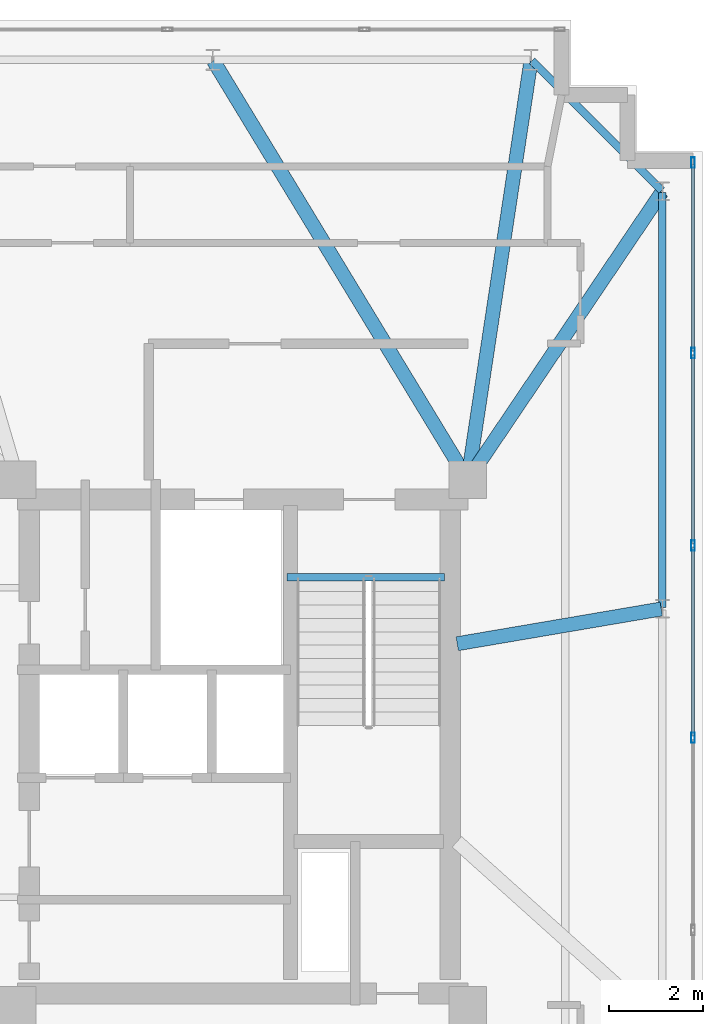
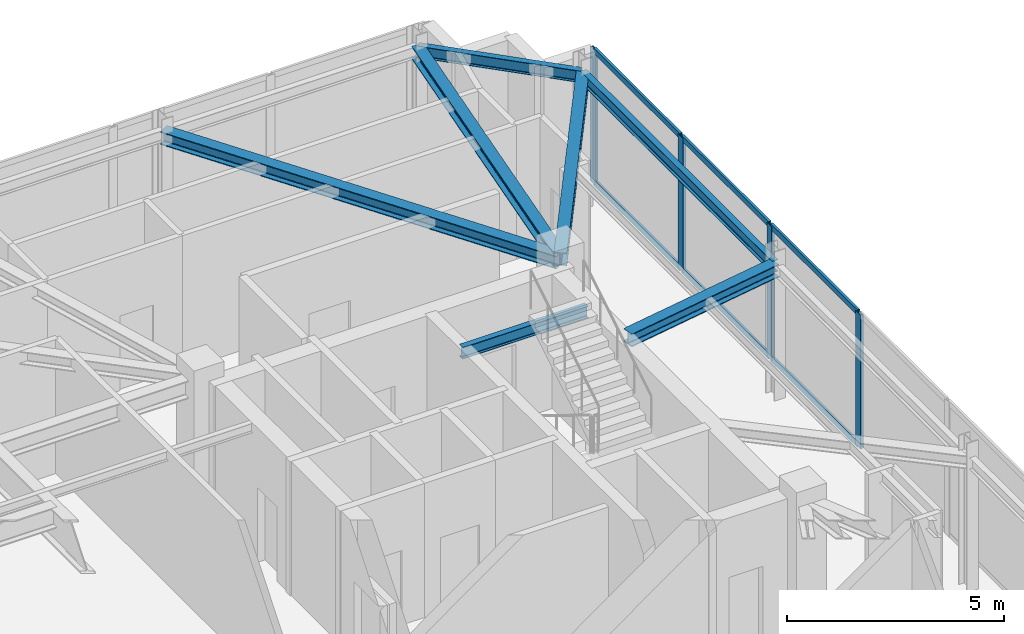
# One storey, part 14 of 24: 10 members, 7 beams, 1 element without a shape of its own.
"""IFC4 building model written with IfcOpenShell, lengths in metres."""

import ifcopenshell
import ifcopenshell.guid

model = None  # the IFC model being written
_history = None  # IfcOwnerHistory: only IFC2X3 demands one
_inside = {}  # id of a spatial element -> (the spatial element, [elements in it])
_under = {}  # id of a project, library or spatial element -> (it, [spatial elements below it])
_declared = {}  # id of a project -> (the project, [libraries it declares])
_typed = {}  # id of a type object -> (the type object, [elements of that type])
_made_of = {}  # id of a material, layer set ... -> (it, [elements and type objects made of it])


def new_model(schema):
    """Start an empty IFC model of exactly this schema.

    Asked for "IFC4X3", IfcOpenShell would pick the latest addendum, in which some entities
    have other attributes; the version numbers below select the first issue.
    IFC2X3 requires an IfcOwnerHistory on every rooted entity: one is made here for all.
    """
    global model, _history
    if schema == "IFC4X3":
        model = ifcopenshell.file(schema_version=(4, 3, 0, 0))
    else:
        model = ifcopenshell.file(schema=schema)
    _inside.clear()
    _under.clear()
    _declared.clear()
    _typed.clear()
    _made_of.clear()
    _history = None
    if model.schema == "IFC2X3":
        org = make("IfcOrganization", Name="unknown")
        user = make(
            "IfcPersonAndOrganization",
            ThePerson=make("IfcPerson", FamilyName="unknown"),
            TheOrganization=org,
        )
        app = make(
            "IfcApplication",
            ApplicationDeveloper=org,
            Version="unknown",
            ApplicationFullName="unknown",
            ApplicationIdentifier="unknown",
        )
        _history = make(
            "IfcOwnerHistory",
            OwningUser=user,
            OwningApplication=app,
            ChangeAction="ADDED",
            CreationDate=0,
        )
    return model


def make(cls, **values):
    """One entity of the class cls with the attributes given. An attribute that is None is left unset."""
    return model.create_entity(
        cls, **{name: value for name, value in values.items() if value is not None}
    )


def rooted(cls, **values):
    """An entity with a GlobalId (a new one), such as an element, a storey or a relation."""
    return make(cls, GlobalId=ifcopenshell.guid.new(), OwnerHistory=_history, **values)


def si_unit(unit_type, name, prefix=None):
    """IfcSIUnit, for example si_unit("LENGTHUNIT", "METRE", prefix="MILLI")."""
    return make("IfcSIUnit", UnitType=unit_type, Prefix=prefix, Name=name)


def assignment(units):
    """IfcUnitAssignment: the units of a project."""
    return None if units is None else make("IfcUnitAssignment", Units=units)


def point(xyz):
    """IfcCartesianPoint."""
    return None if xyz is None else make("IfcCartesianPoint", Coordinates=xyz)


def direction(xyz):
    """IfcDirection."""
    return None if xyz is None else make("IfcDirection", DirectionRatios=xyz)


def frame(location, z_axis=None, x_axis=None):
    """IfcAxis2Placement3D, a coordinate frame: its origin and axes. An axis left out is left unset."""
    return make(
        "IfcAxis2Placement3D",
        Location=point(location),
        Axis=direction(z_axis),
        RefDirection=direction(x_axis),
    )


def frame_2d(location, x_axis=None):
    """IfcAxis2Placement2D, a coordinate frame in the plane: its origin and x axis."""
    return make(
        "IfcAxis2Placement2D", Location=point(location), RefDirection=direction(x_axis)
    )


def origin():
    """The frame at (0, 0, 0) with its axes left unset."""
    return frame((0.0, 0.0, 0.0))


def origin_2d():
    """The frame at (0, 0) in the plane with its x axis left unset."""
    return frame_2d((0.0, 0.0))


def place(relative_to, where):
    """IfcLocalPlacement: puts the frame where relative to a parent placement (None: the world)."""
    return make(
        "IfcLocalPlacement", PlacementRelTo=relative_to, RelativePlacement=where
    )


def context(
    kind, dimensions, precision=None, world=None, true_north=None, identifier=None
):
    """IfcGeometricRepresentationContext, for example the 3D "Model" context."""
    return make(
        "IfcGeometricRepresentationContext",
        ContextIdentifier=identifier,
        ContextType=kind,
        CoordinateSpaceDimension=dimensions,
        Precision=precision,
        WorldCoordinateSystem=world,
        TrueNorth=true_north,
    )


def subcontext(parent, identifier, kind, view, scale=None):
    """IfcGeometricRepresentationSubContext, for example "Body" below "Model"."""
    return make(
        "IfcGeometricRepresentationSubContext",
        ContextIdentifier=identifier,
        ContextType=kind,
        ParentContext=parent,
        TargetScale=scale,
        TargetView=view,
    )


def project(units=None, contexts=None):
    """IfcProject with its units and contexts."""
    return rooted(
        "IfcProject",
        Name="project",
        RepresentationContexts=contexts,
        UnitsInContext=assignment(units),
    )


def spatial(cls, under=None, at=None, **own):
    """A site, building, storey or space (cls), placed at a placement, below another one or the project."""
    s = rooted(cls, ObjectPlacement=at, **own)
    if under is not None:
        _under.setdefault(under.id(), (under, []))[1].append(s)
    return s


def profile(cls, at=None, kind="AREA", **sizes):
    """A parametric profile (cls). Its sizes go by their IFC names, for example OverallWidth=200.0."""
    return make(cls, ProfileType=kind, Position=at, **sizes)


def hollow_rectangle(**sizes):
    """IfcRectangleHollowProfileDef."""
    return profile("IfcRectangleHollowProfileDef", **sizes)


def i_section(**sizes):
    """IfcIShapeProfileDef."""
    return profile("IfcIShapeProfileDef", **sizes)


def extrude(swept, where, along, depth):
    """IfcExtrudedAreaSolid: the profile swept, set in the frame where, extruded along a direction by depth."""
    return make(
        "IfcExtrudedAreaSolid",
        SweptArea=swept,
        Position=where,
        ExtrudedDirection=direction(along),
        Depth=depth,
    )


def shape(context_of_items, identifier, shape_type, items):
    """IfcShapeRepresentation: the items that make up one representation, for example the "Body"."""
    return make(
        "IfcShapeRepresentation",
        ContextOfItems=context_of_items,
        RepresentationIdentifier=identifier,
        RepresentationType=shape_type,
        Items=items,
    )


def material(Name=None, Category=None):
    """IfcMaterial."""
    return make("IfcMaterial", Name=Name, Category=Category)


def layer(
    of_material, thickness, ventilated=None, Name=None, Category=None, Priority=None
):
    """IfcMaterialLayer: one layer of a wall or slab, of a material (None: an air gap)."""
    return make(
        "IfcMaterialLayer",
        Material=of_material,
        LayerThickness=thickness,
        IsVentilated=ventilated,
        Name=Name,
        Category=Category,
        Priority=Priority,
    )


def layer_set(layers, Name=None):
    """IfcMaterialLayerSet."""
    return make("IfcMaterialLayerSet", MaterialLayers=layers, LayerSetName=Name)


def material_profile(
    of_material, cross_section, Name=None, Category=None, Priority=None
):
    """IfcMaterialProfile: a cross section and its material."""
    return make(
        "IfcMaterialProfile",
        Name=Name,
        Material=of_material,
        Profile=cross_section,
        Priority=Priority,
        Category=Category,
    )


def profile_set(profiles, Name=None, composite=None):
    """IfcMaterialProfileSet."""
    return make(
        "IfcMaterialProfileSet",
        Name=Name,
        MaterialProfiles=profiles,
        CompositeProfile=composite,
    )


def made_of(thing, what):
    """Note that an element or type object is made of a material, layer set ...; save() writes the relation."""
    if what is not None:
        _made_of.setdefault(what.id(), (what, []))[1].append(thing)
    return thing


def type_object(cls, material=None, **own):
    """A type object (cls), such as IfcWallType, which elements share."""
    return made_of(rooted(cls, **own), material)


def element(
    cls,
    number,
    at=None,
    inside=None,
    cuts=None,
    type_object=None,
    material=None,
    context=None,
    identifier="Body",
    shape_type=None,
    held_by="IfcProductDefinitionShape",
    body=None,
    shapes=None,
    **own,
):
    """One element of the class cls, such as IfcWall. Its Tag is "e" and its number.

    at: its placement. inside: the storey or other place that contains it. cuts: it is an
    opening in that element (IfcRelVoidsElement). A single representation is given by context,
    identifier, shape_type and body (its items); several are given by shapes. held_by: the class
    of the entity that holds the representations. save() writes the other relations.
    """
    e = rooted(cls, Tag="e%d" % number, ObjectPlacement=at, **own)
    if body is not None:
        shapes = [shape(context, identifier, shape_type, body)]
    if shapes is not None:
        e.Representation = make(held_by, Representations=shapes)
    if inside is not None:
        _inside.setdefault(inside.id(), (inside, []))[1].append(e)
    if cuts is not None:
        rooted(
            "IfcRelVoidsElement", RelatingBuildingElement=cuts, RelatedOpeningElement=e
        )
    if type_object is not None:
        _typed.setdefault(type_object.id(), (type_object, []))[1].append(e)
    return made_of(e, material)


def aggregate(whole, parts):
    """IfcRelAggregates: a whole, such as a stair, and the parts it consists of."""
    return rooted("IfcRelAggregates", RelatingObject=whole, RelatedObjects=parts)


def save(model, path):
    """Write the relations noted so far, then the file.

    IfcRelAggregates (storeys below a building ...), IfcRelContainedInSpatialStructure (elements
    in a storey), IfcRelDefinesByType, IfcRelAssociatesMaterial and IfcRelDeclares: one each for
    every whole, place, type object, material and project.
    """
    for whole, parts in _under.values():
        aggregate(whole, parts)
    for where, things in _inside.values():
        rooted(
            "IfcRelContainedInSpatialStructure",
            RelatedElements=things,
            RelatingStructure=where,
        )
    for kind, things in _typed.values():
        rooted("IfcRelDefinesByType", RelatedObjects=things, RelatingType=kind)
    for what, things in _made_of.values():
        rooted("IfcRelAssociatesMaterial", RelatedObjects=things, RelatingMaterial=what)
    for by, libraries in _declared.values():
        rooted("IfcRelDeclares", RelatingContext=by, RelatedDefinitions=libraries)
    model.write(path)


model = new_model("IFC4")

# Units and contexts
model_context = context("Model", 3, precision=1e-05, world=origin(), true_north=direction((0.0, 1.0)))
body_context = subcontext(model_context, "Body", "Model", "MODEL_VIEW")
ifc_project = project(units=[si_unit("LENGTHUNIT", "METRE"), si_unit("AREAUNIT", "SQUARE_METRE"), si_unit("VOLUMEUNIT", "CUBIC_METRE"), si_unit("PLANEANGLEUNIT", "RADIAN"), si_unit("MASSUNIT", "GRAM", prefix="KILO")], contexts=[model_context])

# Site, building, storey
site_placement = place(None, origin())
site = spatial("IfcSite", under=ifc_project, at=site_placement, CompositionType="ELEMENT")
building_placement = place(site_placement, origin())
building = spatial("IfcBuilding", under=site, at=building_placement, Name="Qobustan Lattice House", CompositionType="ELEMENT")
storey_placement = place(building_placement, frame((0.0, 0.0, 261.800048828125)))
storey = spatial("IfcBuildingStorey", under=building, at=storey_placement, Name="L74", CompositionType="ELEMENT", Elevation=261.800048828125)

# Beams
ifc_material_1 = material(Name="Steel S355", Category="steel")
ifc_material_profile_1 = material_profile(ifc_material_1, i_section(OverallWidth=0.300048828125, OverallDepth=0.360107421875, WebThickness=0.012451171875, FlangeThickness=0.0224609375, FilletRadius=0.027099609375, at=origin_2d()), Name="HEB360")
ifc_profile_set_1 = profile_set([ifc_material_profile_1], Name="Steel S355")
beam_type_1 = type_object("IfcBeamType", Name="BM-FLG-HEB360", PredefinedType="USERDEFINED", material=ifc_profile_set_1)
beam_1_placement = place(storey_placement, frame((13.379638671875, 14.528564453125, 3.599853515625), z_axis=(0.518943895492, -0.854808302096, 0.0), x_axis=(0.854808302096, 0.518943895492, 0.0)))
element("IfcBeam", 1, at=beam_1_placement, inside=storey, type_object=beam_type_1, Name="L74 primary floor girder RAD-N2", ObjectType="GIRDER", PredefinedType="USERDEFINED", context=body_context, shape_type="SweptSolid", body=[
    extrude(i_section(OverallWidth=0.300048828125, OverallDepth=0.360107421875, WebThickness=0.012451171875, FlangeThickness=0.0224609375, FilletRadius=0.027099609375, at=origin_2d()), origin(), (0.0, 0.0, 1.0), 10.420166015625),
])
beam_2_placement = place(storey_placement, frame((20.146240234375, 14.525390625, 3.599853515625), z_axis=(-0.149148118249, -0.988814865798, 0.0), x_axis=(0.988814865798, -0.149148118249, 0.0)))
element("IfcBeam", 2, at=beam_2_placement, inside=storey, type_object=beam_type_1, Name="L74 primary floor girder RAD-N1E", ObjectType="GIRDER", PredefinedType="USERDEFINED", context=body_context, shape_type="SweptSolid", body=[
    extrude(i_section(OverallWidth=0.300048828125, OverallDepth=0.360107421875, WebThickness=0.012451171875, FlangeThickness=0.0224609375, FilletRadius=0.027099609375, at=origin_2d()), origin(), (0.0, 0.0, 1.0), 9.001220703125),
])
beam_3_placement = place(storey_placement, frame((22.93603515625, 11.729248046875, 3.599853515625), z_axis=(-0.559355068937, -0.828928167488, 0.0), x_axis=(0.828928167488, -0.559355068937, 0.0)))
element("IfcBeam", 3, at=beam_3_placement, inside=storey, type_object=beam_type_1, Name="L74 primary floor girder RAD-E4", ObjectType="GIRDER", PredefinedType="USERDEFINED", context=body_context, shape_type="SweptSolid", body=[
    extrude(i_section(OverallWidth=0.300048828125, OverallDepth=0.360107421875, WebThickness=0.012451171875, FlangeThickness=0.0224609375, FilletRadius=0.027099609375, at=origin_2d()), origin(), (0.0, 0.0, 1.0), 7.369384765625),
])
beam_4_placement = place(storey_placement, frame((22.92529296875, 2.845703125, 3.599853515625), z_axis=(-0.985786297247, -0.168004095664, 0.0), x_axis=(0.168004095664, -0.985786297247, 0.0)))
element("IfcBeam", 4, at=beam_4_placement, inside=storey, type_object=beam_type_1, Name="L74 primary floor girder RAD-E3", ObjectType="GIRDER", PredefinedType="USERDEFINED", context=body_context, shape_type="SweptSolid", body=[
    extrude(i_section(OverallWidth=0.300048828125, OverallDepth=0.360107421875, WebThickness=0.012451171875, FlangeThickness=0.0224609375, FilletRadius=0.027099609375, at=origin_2d()), origin(), (0.0, 0.0, 1.0), 4.413330078125),
])
ifc_material_2 = material(Name="Steel S355", Category="steel")
ifc_material_profile_2 = material_profile(ifc_material_2, i_section(OverallWidth=0.159912109375, OverallDepth=0.330078125, WebThickness=0.007568359375, FlangeThickness=0.011474609375, FilletRadius=0.01806640625, at=origin_2d()), Name="IPE330")
ifc_profile_set_2 = profile_set([ifc_material_profile_2], Name="Steel S355")
beam_type_2 = type_object("IfcBeamType", Name="BM-SPD-IPE330", PredefinedType="SPANDREL", material=ifc_profile_set_2)
beam_5_placement = place(storey_placement, frame((14.949951171875, 3.52001953125, 3.614990234375), z_axis=(1.0, 0.0, 0.0), x_axis=(0.0, 1.0, 0.0)))
element("IfcBeam", 5, at=beam_5_placement, inside=storey, type_object=beam_type_2, Name="L74 east stair landing trimmer beam", PredefinedType="SPANDREL", context=body_context, shape_type="SweptSolid", body=[
    extrude(i_section(OverallWidth=0.159912109375, OverallDepth=0.330078125, WebThickness=0.007568359375, FlangeThickness=0.011474609375, FilletRadius=0.01806640625, at=origin_2d()), origin(), (0.0, 0.0, 1.0), 3.35009765625),
])
beam_6_placement = place(storey_placement, frame((22.949951171875, 2.875, 3.614990234375), z_axis=(0.0, 1.0, 0.0), x_axis=(-1.0, 0.0, 0.0)))
element("IfcBeam", 6, at=beam_6_placement, inside=storey, type_object=beam_type_2, Name="L74 perimeter spandrel E3-E4", PredefinedType="SPANDREL", context=body_context, shape_type="SweptSolid", body=[
    extrude(i_section(OverallWidth=0.159912109375, OverallDepth=0.330078125, WebThickness=0.007568359375, FlangeThickness=0.011474609375, FilletRadius=0.01806640625, at=origin_2d()), origin(), (0.0, 0.0, 1.0), 8.85009765625),
])
beam_7_placement = place(storey_placement, frame((22.932373046875, 11.767578125, 3.614990234375), z_axis=(-0.707106781187, 0.707106781187, 0.0), x_axis=(-0.707106781187, -0.707106781187, 0.0)))
element("IfcBeam", 7, at=beam_7_placement, inside=storey, type_object=beam_type_2, Name="L74 perimeter spandrel E4-N1", PredefinedType="SPANDREL", context=body_context, shape_type="SweptSolid", body=[
    extrude(i_section(OverallWidth=0.159912109375, OverallDepth=0.330078125, WebThickness=0.007568359375, FlangeThickness=0.011474609375, FilletRadius=0.01806640625, at=origin_2d()), origin(), (0.0, 0.0, 1.0), 3.909912109375),
])

# Curtain wall, members
ifc_material_3 = material(Name="Anodised aluminium and low-E glazing", Category="aluminium")
ifc_layer = layer(ifc_material_3, 0.219970703125)
ifc_layer_set = layer_set([ifc_layer], Name="Anodised aluminium and low-E glazing")
curtain_wall_type = type_object("IfcCurtainWallType", Name="CW-OBS-01", PredefinedType="USERDEFINED", material=ifc_layer_set)
curtain_wall_placement = place(storey_placement, origin())
curtain_wall = element("IfcCurtainWall", 8, at=curtain_wall_placement, inside=storey, type_object=curtain_wall_type, Name="L74 E panoramic observation curtain wall", ObjectType="CURTAIN WALL", PredefinedType="USERDEFINED")
ifc_material_4 = material(Name="Anodised aluminium EN AW-6063 T6", Category="aluminium")
ifc_material_profile_3 = material_profile(ifc_material_4, hollow_rectangle(XDim=0.080078125, YDim=0.219970703125, WallThickness=0.0048828125, at=origin_2d()), Name="CWM-220x80")
ifc_profile_set_3 = profile_set([ifc_material_profile_3], Name="Anodised aluminium EN AW-6063 T6")
member_type_1 = type_object("IfcMemberType", Name="CWM-MAIN-220", PredefinedType="MULLION", material=ifc_profile_set_3)
member_1_placement = place(storey_placement, frame((23.60009765625, 12.360107421875, 0.0), z_axis=(0.0, 0.0, 1.0), x_axis=(1.0, 0.0, 0.0)))
member_1 = element("IfcMember", 9, at=member_1_placement, type_object=member_type_1, Name="CW-OB mullion 1", PredefinedType="MULLION", context=body_context, shape_type="SweptSolid", body=[
    extrude(hollow_rectangle(XDim=0.080078125, YDim=0.219970703125, WallThickness=0.0048828125, at=origin_2d()), origin(), (0.0, 0.0, 1.0), 3.780029296875),
])
member_2_placement = place(storey_placement, frame((23.60009765625, 8.300048828125, 0.0), z_axis=(0.0, 0.0, 1.0), x_axis=(1.0, 0.0, 0.0)))
member_2 = element("IfcMember", 10, at=member_2_placement, type_object=member_type_1, Name="CW-OB mullion 2", PredefinedType="MULLION", context=body_context, shape_type="SweptSolid", body=[
    extrude(hollow_rectangle(XDim=0.080078125, YDim=0.219970703125, WallThickness=0.0048828125, at=origin_2d()), origin(), (0.0, 0.0, 1.0), 3.780029296875),
])
member_3_placement = place(storey_placement, frame((23.60009765625, 4.199951171875, 0.0), z_axis=(0.0, 0.0, 1.0), x_axis=(1.0, 0.0, 0.0)))
member_3 = element("IfcMember", 11, at=member_3_placement, type_object=member_type_1, Name="CW-OB mullion 3", PredefinedType="MULLION", context=body_context, shape_type="SweptSolid", body=[
    extrude(hollow_rectangle(XDim=0.080078125, YDim=0.219970703125, WallThickness=0.0048828125, at=origin_2d()), origin(), (0.0, 0.0, 1.0), 3.780029296875),
])
member_4_placement = place(storey_placement, frame((23.60009765625, 0.10009765625, 0.0), z_axis=(0.0, 0.0, 1.0), x_axis=(1.0, 0.0, 0.0)))
member_4 = element("IfcMember", 12, at=member_4_placement, type_object=member_type_1, Name="CW-OB mullion 4", PredefinedType="MULLION", context=body_context, shape_type="SweptSolid", body=[
    extrude(hollow_rectangle(XDim=0.080078125, YDim=0.219970703125, WallThickness=0.0048828125, at=origin_2d()), origin(), (0.0, 0.0, 1.0), 3.780029296875),
])
ifc_material_5 = material(Name="Anodised aluminium EN AW-6063 T6", Category="aluminium")
ifc_material_profile_4 = material_profile(ifc_material_5, hollow_rectangle(XDim=0.06494140625, YDim=0.159912109375, WallThickness=0.00390625, at=origin_2d()), Name="CWT-160x65")
ifc_profile_set_4 = profile_set([ifc_material_profile_4], Name="Anodised aluminium EN AW-6063 T6")
member_type_2 = type_object("IfcMemberType", Name="CWT-HOR-160", PredefinedType="USERDEFINED", material=ifc_profile_set_4)
member_5_placement = place(storey_placement, frame((23.60009765625, 12.320068359375, 0.032470703125), z_axis=(0.0, -1.0, 0.0), x_axis=(1.0, 0.0, 0.0)))
member_5 = element("IfcMember", 13, at=member_5_placement, type_object=member_type_2, Name="CW-OB transom 1.1", ObjectType="TRANSOM", PredefinedType="USERDEFINED", context=body_context, shape_type="SweptSolid", body=[
    extrude(hollow_rectangle(XDim=0.06494140625, YDim=0.159912109375, WallThickness=0.00390625, at=origin_2d()), origin(), (0.0, 0.0, 1.0), 3.97998046875),
])
member_6_placement = place(storey_placement, frame((23.60009765625, 12.320068359375, 3.74755859375), z_axis=(0.0, -1.0, 0.0), x_axis=(1.0, 0.0, 0.0)))
member_6 = element("IfcMember", 14, at=member_6_placement, type_object=member_type_2, Name="CW-OB transom 1.2", ObjectType="TRANSOM", PredefinedType="USERDEFINED", context=body_context, shape_type="SweptSolid", body=[
    extrude(hollow_rectangle(XDim=0.06494140625, YDim=0.159912109375, WallThickness=0.00390625, at=origin_2d()), origin(), (0.0, 0.0, 1.0), 3.97998046875),
])
member_7_placement = place(storey_placement, frame((23.60009765625, 8.260009765625, 0.032470703125), z_axis=(0.0, -1.0, 0.0), x_axis=(1.0, 0.0, 0.0)))
member_7 = element("IfcMember", 15, at=member_7_placement, type_object=member_type_2, Name="CW-OB transom 2.1", ObjectType="TRANSOM", PredefinedType="USERDEFINED", context=body_context, shape_type="SweptSolid", body=[
    extrude(hollow_rectangle(XDim=0.06494140625, YDim=0.159912109375, WallThickness=0.00390625, at=origin_2d()), origin(), (0.0, 0.0, 1.0), 4.02001953125),
])
member_8_placement = place(storey_placement, frame((23.60009765625, 8.260009765625, 3.74755859375), z_axis=(0.0, -1.0, 0.0), x_axis=(1.0, 0.0, 0.0)))
member_8 = element("IfcMember", 16, at=member_8_placement, type_object=member_type_2, Name="CW-OB transom 2.2", ObjectType="TRANSOM", PredefinedType="USERDEFINED", context=body_context, shape_type="SweptSolid", body=[
    extrude(hollow_rectangle(XDim=0.06494140625, YDim=0.159912109375, WallThickness=0.00390625, at=origin_2d()), origin(), (0.0, 0.0, 1.0), 4.02001953125),
])
member_9_placement = place(storey_placement, frame((23.60009765625, 4.159912109375, 0.032470703125), z_axis=(0.0, -1.0, 0.0), x_axis=(1.0, 0.0, 0.0)))
member_9 = element("IfcMember", 17, at=member_9_placement, type_object=member_type_2, Name="CW-OB transom 3.1", ObjectType="TRANSOM", PredefinedType="USERDEFINED", context=body_context, shape_type="SweptSolid", body=[
    extrude(hollow_rectangle(XDim=0.06494140625, YDim=0.159912109375, WallThickness=0.00390625, at=origin_2d()), origin(), (0.0, 0.0, 1.0), 4.02001953125),
])
member_10_placement = place(storey_placement, frame((23.60009765625, 4.159912109375, 3.74755859375), z_axis=(0.0, -1.0, 0.0), x_axis=(1.0, 0.0, 0.0)))
member_10 = element("IfcMember", 18, at=member_10_placement, type_object=member_type_2, Name="CW-OB transom 3.2", ObjectType="TRANSOM", PredefinedType="USERDEFINED", context=body_context, shape_type="SweptSolid", body=[
    extrude(hollow_rectangle(XDim=0.06494140625, YDim=0.159912109375, WallThickness=0.00390625, at=origin_2d()), origin(), (0.0, 0.0, 1.0), 4.02001953125),
])
aggregate(curtain_wall, [member_1, member_2, member_3, member_4, member_5, member_6, member_7, member_8, member_9, member_10])

save(model, "model.ifc")
